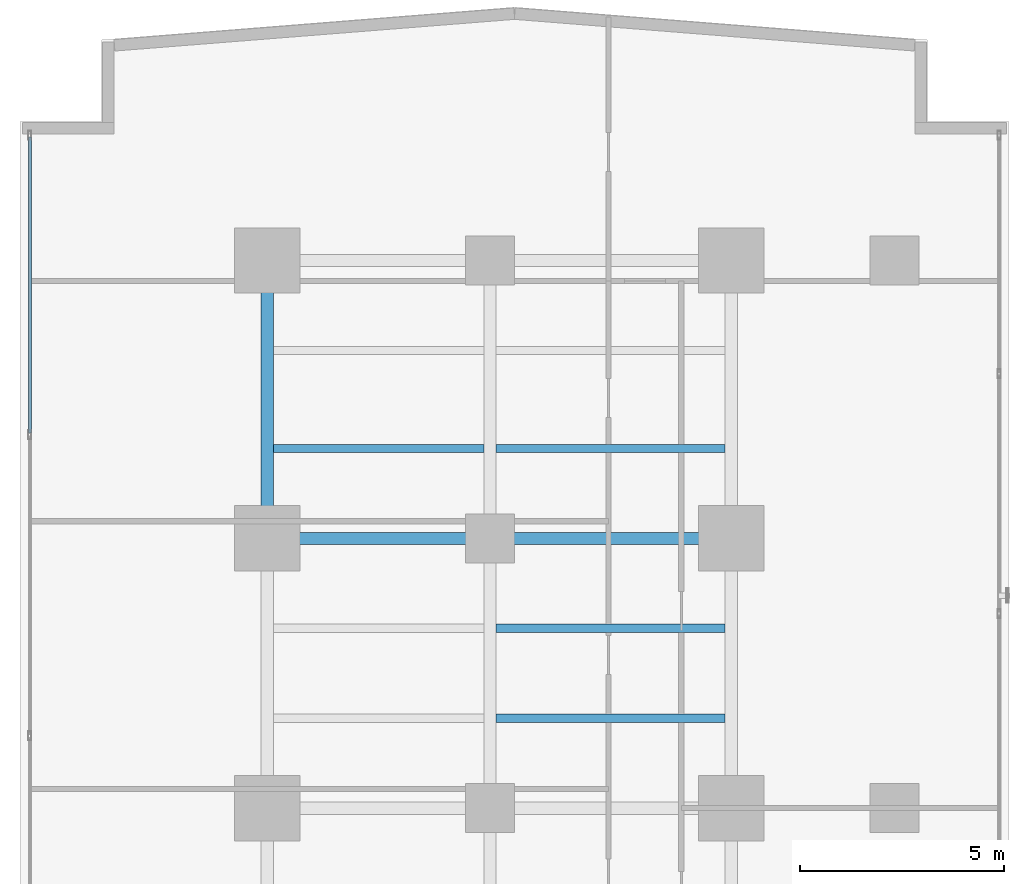
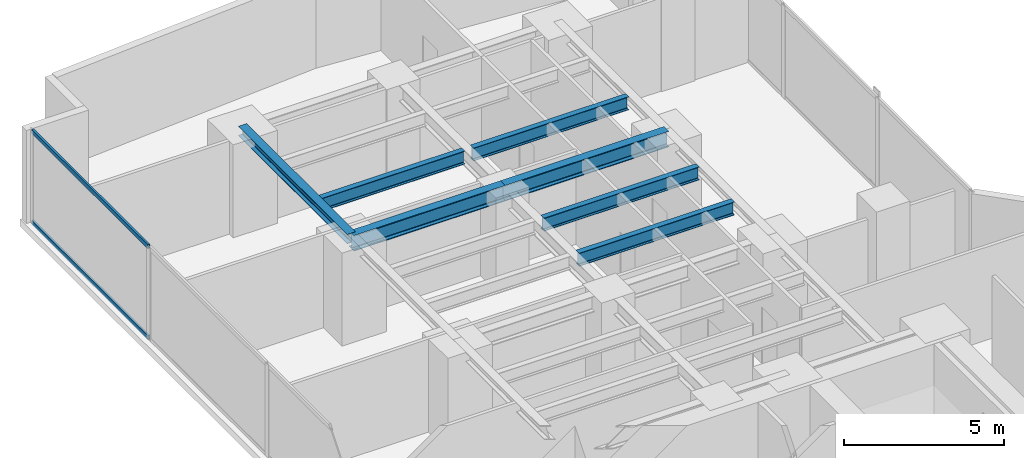
# One storey, part 16 of 27: 7 beams, 2 members, 1 element without a shape of its own.
"""IFC4 building model written with IfcOpenShell, lengths in metres."""

from ifc_helpers import new_model, si_unit, direction, frame, origin, origin_with_axes, origin_2d, place, context, subcontext, project, spatial, hollow_rectangle, i_section, extrude, source, transform, mapped, material, layer, layer_set, material_profile, profile_set, type_object, element, aggregate, save


model = new_model("IFC4")

# Units and contexts
model_context = context("Model", 3, precision=1e-05, world=origin(), true_north=direction((0.0, 1.0)))
body_context = subcontext(model_context, "Body", "Model", "MODEL_VIEW")
ifc_project = project(units=[si_unit("LENGTHUNIT", "METRE"), si_unit("AREAUNIT", "SQUARE_METRE"), si_unit("VOLUMEUNIT", "CUBIC_METRE"), si_unit("PLANEANGLEUNIT", "RADIAN"), si_unit("MASSUNIT", "GRAM", prefix="KILO")], contexts=[model_context])

# Site, building, storey
site_placement = place(None, origin())
site = spatial("IfcSite", under=ifc_project, at=site_placement, CompositionType="ELEMENT")
building_placement = place(site_placement, origin())
building = spatial("IfcBuilding", under=site, at=building_placement, Name="Kolvaren Waterfront Exchange", CompositionType="ELEMENT")
storey_placement = place(building_placement, frame((0.0, 0.0, 60.0)))
storey = spatial("IfcBuildingStorey", under=building, at=storey_placement, Name="L15", CompositionType="ELEMENT", Elevation=60.0)

# Beams
ifc_material_1 = material(Name="Steel S355", Category="steel")
ifc_material_profile_1 = material_profile(ifc_material_1, i_section(OverallWidth=0.300048828125, OverallDepth=0.360107421875, WebThickness=0.012451171875, FlangeThickness=0.0224609375, FilletRadius=0.027099609375, at=origin_2d()), Name="HEB360")
ifc_profile_set_1 = profile_set([ifc_material_profile_1], Name="Steel S355")
beam_type_1 = type_object("IfcBeamType", Name="STR-BM-HEB360", PredefinedType="SPANDREL", material=ifc_profile_set_1)
beam_1_placement = place(storey_placement, frame((7.449951171875, 37.800048828125, 3.360107421875), z_axis=(0.0, 1.0, 0.0), x_axis=(-1.0, 0.0, 0.0)))
element("IfcBeam", 1, at=beam_1_placement, inside=storey, type_object=beam_type_1, Name="L15 north-arm edge beam 3", PredefinedType="SPANDREL", context=body_context, shape_type="SweptSolid", body=[
    extrude(i_section(OverallWidth=0.300048828125, OverallDepth=0.360107421875, WebThickness=0.012451171875, FlangeThickness=0.0224609375, FilletRadius=0.027099609375, at=origin_2d()), origin(), (0.0, 0.0, 1.0), 6.800048828125),
])
ifc_material_profile_2 = material_profile(ifc_material_1, i_section(OverallWidth=0.300048828125, OverallDepth=0.60009765625, WebThickness=0.015380859375, FlangeThickness=0.030029296875, FilletRadius=0.027099609375, at=origin_2d()), Name="HEB600")
ifc_profile_set_2 = profile_set([ifc_material_profile_2], Name="Steel S355")
beam_type_2 = type_object("IfcBeamType", Name="STR-BM-HEB600", PredefinedType="BEAM", material=ifc_profile_set_2)
beam_2_placement = place(storey_placement, frame((7.449951171875, 37.800048828125, 3.239990234375), z_axis=(1.0, 0.0, 0.0), x_axis=(0.0, 1.0, 0.0)))
element("IfcBeam", 2, at=beam_2_placement, inside=storey, type_object=beam_type_2, Name="L15 north-arm girder 3A", PredefinedType="BEAM", context=body_context, shape_type="SweptSolid", body=[
    extrude(i_section(OverallWidth=0.300048828125, OverallDepth=0.60009765625, WebThickness=0.015380859375, FlangeThickness=0.030029296875, FilletRadius=0.027099609375, at=origin_2d()), origin(), (0.0, 0.0, 1.0), 5.449951171875),
])
beam_3_placement = place(storey_placement, frame((12.89990234375, 37.800048828125, 3.239990234375), z_axis=(1.0, 0.0, 0.0), x_axis=(0.0, 1.0, 0.0)))
element("IfcBeam", 3, at=beam_3_placement, inside=storey, type_object=beam_type_2, Name="L15 north-arm girder 3B", PredefinedType="BEAM", context=body_context, shape_type="SweptSolid", body=[
    extrude(i_section(OverallWidth=0.300048828125, OverallDepth=0.60009765625, WebThickness=0.015380859375, FlangeThickness=0.030029296875, FilletRadius=0.027099609375, at=origin_2d()), origin(), (0.0, 0.0, 1.0), 5.900146484375),
])
ifc_material_profile_3 = material_profile(ifc_material_1, i_section(OverallWidth=0.199951171875, OverallDepth=0.5, WebThickness=0.01025390625, FlangeThickness=0.01611328125, FilletRadius=0.02099609375, at=origin_2d()), Name="IPE500")
ifc_profile_set_3 = profile_set([ifc_material_profile_3], Name="Steel S355")
beam_type_3 = type_object("IfcBeamType", Name="STR-BM-IPE500", PredefinedType="JOIST", material=ifc_profile_set_3)
for number, where, z_axis, x_axis, name in (
    (4, (13.052001953125, 33.39990234375, 3.2900390625), (1.0, 0.0, 0.0), (0.0, 1.0, 0.0), "L15 north-arm composite joist 3B"),
    (5, (13.052001953125, 35.60009765625, 3.2900390625), (1.0, 0.0, 0.0), (0.0, 1.0, 0.0), "L15 north-arm composite joist 4B"),
):
    element("IfcBeam", number, at=place(storey_placement, frame(where, z_axis=z_axis, x_axis=x_axis)), inside=storey, type_object=beam_type_3, Name=name, PredefinedType="JOIST", context=body_context, shape_type="SweptSolid", body=[
        extrude(i_section(OverallWidth=0.199951171875, OverallDepth=0.5, WebThickness=0.01025390625, FlangeThickness=0.01611328125, FilletRadius=0.02099609375, at=origin_2d()), origin(), (0.0, 0.0, 1.0), 5.595947265625),
    ])
beam_4_placement = place(storey_placement, frame((7.60205078125, 40.0, 3.2900390625), z_axis=(1.0, 0.0, 0.0), x_axis=(0.0, 1.0, 0.0)))
element("IfcBeam", 6, at=beam_4_placement, inside=storey, type_object=beam_type_3, Name="L15 north-arm composite joist 5A", PredefinedType="JOIST", context=body_context, shape_type="SweptSolid", body=[
    extrude(i_section(OverallWidth=0.199951171875, OverallDepth=0.5, WebThickness=0.01025390625, FlangeThickness=0.01611328125, FilletRadius=0.02099609375, at=origin_2d()), origin(), (0.0, 0.0, 1.0), 5.14599609375),
])
beam_5_placement = place(storey_placement, frame((13.052001953125, 40.0, 3.2900390625), z_axis=(1.0, 0.0, 0.0), x_axis=(0.0, 1.0, 0.0)))
element("IfcBeam", 7, at=beam_5_placement, inside=storey, type_object=beam_type_3, Name="L15 north-arm composite joist 5B", PredefinedType="JOIST", context=body_context, shape_type="SweptSolid", body=[
    extrude(i_section(OverallWidth=0.199951171875, OverallDepth=0.5, WebThickness=0.01025390625, FlangeThickness=0.01611328125, FilletRadius=0.02099609375, at=origin_2d()), origin(), (0.0, 0.0, 1.0), 5.595947265625),
])

# Curtain wall, members
ifc_material_2 = material(Name="Anodised aluminium 6063-T6", Category="aluminium")
ifc_layer = layer(ifc_material_2, 0.219970703125, Name="Anodised aluminium 6063-T6")
ifc_layer_set = layer_set([ifc_layer], Name="Anodised aluminium 6063-T6")
curtain_wall_type = type_object("IfcCurtainWallType", Name="ARC-CW-SYS2", PredefinedType="USERDEFINED", material=ifc_layer_set)
curtain_wall_placement = place(storey_placement, origin())
curtain_wall = element("IfcCurtainWall", 8, at=curtain_wall_placement, inside=storey, type_object=curtain_wall_type, Name="L15 stick curtain wall CW2 (CW-L15-W)", ObjectType="STICK CURTAIN WALL", PredefinedType="USERDEFINED")
ifc_material_profile_4 = material_profile(ifc_material_2, hollow_rectangle(XDim=0.074951171875, YDim=0.159912109375, WallThickness=0.00439453125, at=origin_2d()), Name="ALU-TRN-160x75x4.5")
ifc_profile_set_4 = profile_set([ifc_material_profile_4], Name="Anodised aluminium 6063-T6")
member_type = type_object("IfcMemberType", Name="ARC-CWT-160", PredefinedType="USERDEFINED", material=ifc_profile_set_4)
shared_shape = source(origin_with_axes(), body_context, "Body", "SweptSolid", [
    extrude(hollow_rectangle(XDim=0.074951171875, YDim=0.159912109375, WallThickness=0.00439453125, at=origin_2d()), origin(), (0.0, 0.0, 1.0), 7.246826171875),
])
member_1_placement = place(storey_placement, frame((1.639892578125, 40.373291015625, 0.03759765625), z_axis=(0.0, 1.0, 0.0), x_axis=(-1.0, 0.0, 0.0)))
member_1 = element("IfcMember", 9, at=member_1_placement, type_object=member_type, Name="CW2 transom 6.1", ObjectType="TRANSOM", PredefinedType="USERDEFINED", context=body_context, shape_type="MappedRepresentation", body=[
    mapped(shared_shape, transform((0.0, 0.0, 0.0), x_axis=(1.0, 0.0, 0.0), y_axis=(0.0, 1.0, 0.0), z_axis=(0.0, 0.0, 1.0), scale=1.0)),
])
member_2_placement = place(storey_placement, frame((1.639892578125, 40.373291015625, 3.50244140625), z_axis=(0.0, 1.0, 0.0), x_axis=(-1.0, 0.0, 0.0)))
member_2 = element("IfcMember", 10, at=member_2_placement, type_object=member_type, Name="CW2 transom 6.2", ObjectType="TRANSOM", PredefinedType="USERDEFINED", context=body_context, shape_type="MappedRepresentation", body=[
    mapped(shared_shape, transform((0.0, 0.0, 0.0), x_axis=(1.0, 0.0, 0.0), y_axis=(0.0, 1.0, 0.0), z_axis=(0.0, 0.0, 1.0), scale=1.0)),
])
aggregate(curtain_wall, [member_1, member_2])

save(model, "model.ifc")
